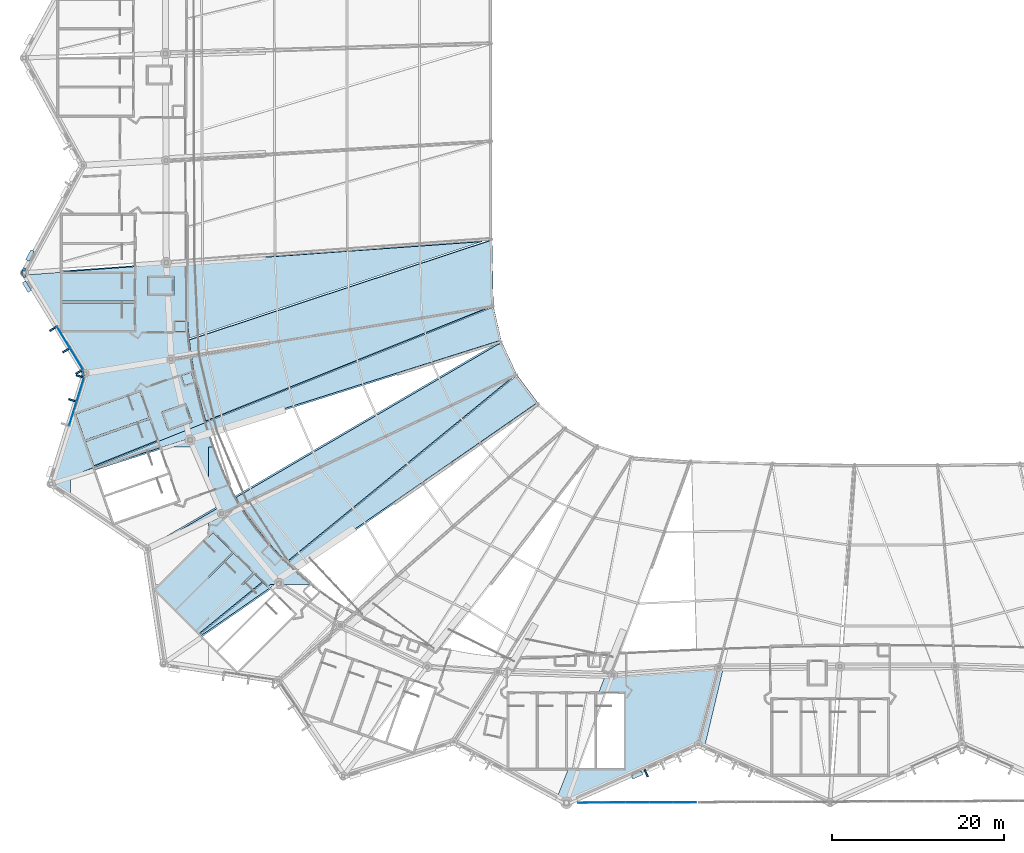
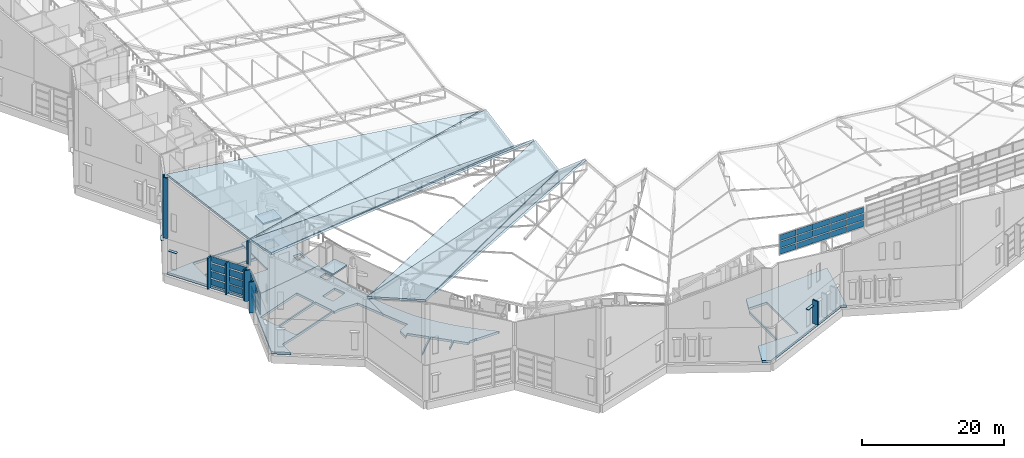
# One storey, part 226 of 344: 41 plates, 13 slabs, 3 elements without a shape of their own.
"""IFC4 building model written with IfcOpenShell, lengths in metres."""

from ifc_helpers import new_model, si_unit, direction, frame, origin, origin_2d, place, context, subcontext, project, spatial, polyline, rectangle, outline, extrude, material, layer, layer_set, type_object, element, aggregate, save


model = new_model("IFC4")

# Units and contexts
model_context = context("Model", 3, precision=1e-05, world=origin(), true_north=direction((0.0, 1.0)))
body_context = subcontext(model_context, "Body", "Model", "MODEL_VIEW")
ifc_project = project(units=[si_unit("LENGTHUNIT", "METRE"), si_unit("AREAUNIT", "SQUARE_METRE"), si_unit("VOLUMEUNIT", "CUBIC_METRE"), si_unit("PLANEANGLEUNIT", "RADIAN"), si_unit("MASSUNIT", "GRAM", prefix="KILO")], contexts=[model_context])

# Site, building, storey
site_placement = place(None, origin())
site = spatial("IfcSite", under=ifc_project, at=site_placement, CompositionType="ELEMENT")
building_placement = place(site_placement, origin())
building = spatial("IfcBuilding", under=site, at=building_placement, Name="Meseta Stadium", CompositionType="ELEMENT")
storey_placement = place(building_placement, frame((0.0, 0.0, 24.0)))
storey = spatial("IfcBuildingStorey", under=building, at=storey_placement, Name="L04", CompositionType="ELEMENT", Elevation=24.0)

# Plates
ifc_material_1 = material(Name="White precast concrete C40/50", Category="concrete")
ifc_layer_1 = layer(ifc_material_1, 0.199951171875)
ifc_layer_set_1 = layer_set([ifc_layer_1], Name="Brise-soleil fin 200x900")
plate_type_1 = type_object("IfcPlateType", Name="Brise-soleil fin 200x900", PredefinedType="USERDEFINED", material=ifc_layer_set_1)
for number, where, z_axis, x_axis, name in (
    (1, (-98.0537109375, -50.266845703125, 0.0), (0.0, 0.0, 1.0), (0.519362172223, -0.854554231201, 0.0), "Brise-soleil fin F36.1"),
    (2, (-96.53466796875, -52.766357421875, 0.0), (0.0, 0.0, 1.0), (0.519362172223, -0.854554231201, 0.0), "Brise-soleil fin F36.2"),
    (3, (-95.015380859375, -55.265869140625, 0.0), (0.0, 0.0, 1.0), (0.519362172223, -0.854554231201, 0.0), "Brise-soleil fin F36.3"),
    (4, (-94.95166015625, -55.786865234375, 0.0), (0.0, 0.0, 1.0), (-0.296868988045, -0.954918218455, 0.0), "Brise-soleil fin F37.1"),
    (5, (-95.81982421875, -58.579833984375, 0.0), (0.0, 0.0, 1.0), (-0.296868988045, -0.954918218455, 0.0), "Brise-soleil fin F37.2"),
):
    element("IfcPlate", number, at=place(storey_placement, frame(where, z_axis=z_axis, x_axis=x_axis)), inside=storey, type_object=plate_type_1, Name=name, ObjectType="FIN", PredefinedType="USERDEFINED", context=body_context, shape_type="SweptSolid", body=[
        extrude(rectangle(XDim=0.199951171875, YDim=0.89990234375, at=origin_2d()), origin(), (0.0, 0.0, 1.0), 5.35009765625),
    ])

# Curtain wall, plates
ifc_material_2 = material(Name="Steel S355", Category="steel")
ifc_layer_2 = layer(ifc_material_2, 0.300048828125)
ifc_layer_set_2 = layer_set([ifc_layer_2], Name="Valley atrium curtain wall")
curtain_wall_type_1 = type_object("IfcCurtainWallType", Name="Valley atrium curtain wall", PredefinedType="NOTDEFINED", material=ifc_layer_set_2)
curtain_wall_1_placement = place(storey_placement, origin())
curtain_wall_1 = element("IfcCurtainWall", 6, at=curtain_wall_1_placement, inside=storey, type_object=curtain_wall_type_1, Name="Valley atrium glazing F36", PredefinedType="NOTDEFINED")
ifc_material_3 = material(Name="Glass", Category="glass")
ifc_layer_3 = layer(ifc_material_3, 0.035888671875)
ifc_layer_set_3 = layer_set([ifc_layer_3], Name="CW glass panel 36")
plate_type_2 = type_object("IfcPlateType", Name="CW glass panel 36", PredefinedType="CURTAIN_PANEL", material=ifc_layer_set_3)
plate_1_placement = place(storey_placement, frame((-96.845458984375, -51.243896484375, 0.199951171875), z_axis=(0.0, 0.0, 1.0), x_axis=(0.519362172313, -0.854554231147, 0.0)))
plate_1 = element("IfcPlate", 7, at=plate_1_placement, type_object=plate_type_2, Name="CWA panel 1.1", PredefinedType="CURTAIN_PANEL", context=body_context, shape_type="SweptSolid", body=[
    extrude(rectangle(XDim=2.77490234375, YDim=0.035888671875, at=origin_2d()), origin(), (0.0, 0.0, 1.0), 1.03759765625),
])
plate_2_placement = place(storey_placement, frame((-96.845458984375, -51.243896484375, 1.4375), z_axis=(0.0, 0.0, 1.0), x_axis=(0.519362172313, -0.854554231147, 0.0)))
plate_2 = element("IfcPlate", 8, at=plate_2_placement, type_object=plate_type_2, Name="CWA panel 1.2", PredefinedType="CURTAIN_PANEL", context=body_context, shape_type="SweptSolid", body=[
    extrude(rectangle(XDim=2.77490234375, YDim=0.035888671875, at=origin_2d()), origin(), (0.0, 0.0, 1.0), 1.137451171875),
])
plate_3_placement = place(storey_placement, frame((-96.845458984375, -51.243896484375, 2.77490234375), z_axis=(0.0, 0.0, 1.0), x_axis=(0.519362172313, -0.854554231147, 0.0)))
plate_3 = element("IfcPlate", 9, at=plate_3_placement, type_object=plate_type_2, Name="CWA panel 1.3", PredefinedType="CURTAIN_PANEL", context=body_context, shape_type="SweptSolid", body=[
    extrude(rectangle(XDim=2.77490234375, YDim=0.035888671875, at=origin_2d()), origin(), (0.0, 0.0, 1.0), 1.137451171875),
])
plate_4_placement = place(storey_placement, frame((-96.845458984375, -51.243896484375, 4.112548828125), z_axis=(0.0, 0.0, 1.0), x_axis=(0.519362172313, -0.854554231147, 0.0)))
plate_4 = element("IfcPlate", 10, at=plate_4_placement, type_object=plate_type_2, Name="CWA panel 1.4", PredefinedType="CURTAIN_PANEL", context=body_context, shape_type="SweptSolid", body=[
    extrude(rectangle(XDim=2.77490234375, YDim=0.035888671875, at=origin_2d()), origin(), (0.0, 0.0, 1.0), 1.03759765625),
])
plate_5_placement = place(storey_placement, frame((-95.326416015625, -53.743408203125, 0.199951171875), z_axis=(0.0, 0.0, 1.0), x_axis=(0.519362172313, -0.854554231147, 0.0)))
plate_5 = element("IfcPlate", 11, at=plate_5_placement, type_object=plate_type_2, Name="CWA panel 2.1", PredefinedType="CURTAIN_PANEL", context=body_context, shape_type="SweptSolid", body=[
    extrude(rectangle(XDim=2.77490234375, YDim=0.035888671875, at=origin_2d()), origin(), (0.0, 0.0, 1.0), 1.03759765625),
])
plate_6_placement = place(storey_placement, frame((-95.326416015625, -53.743408203125, 1.4375), z_axis=(0.0, 0.0, 1.0), x_axis=(0.519362172313, -0.854554231147, 0.0)))
plate_6 = element("IfcPlate", 12, at=plate_6_placement, type_object=plate_type_2, Name="CWA panel 2.2", PredefinedType="CURTAIN_PANEL", context=body_context, shape_type="SweptSolid", body=[
    extrude(rectangle(XDim=2.77490234375, YDim=0.035888671875, at=origin_2d()), origin(), (0.0, 0.0, 1.0), 1.137451171875),
])
plate_7_placement = place(storey_placement, frame((-95.326416015625, -53.743408203125, 2.77490234375), z_axis=(0.0, 0.0, 1.0), x_axis=(0.519362172313, -0.854554231147, 0.0)))
plate_7 = element("IfcPlate", 13, at=plate_7_placement, type_object=plate_type_2, Name="CWA panel 2.3", PredefinedType="CURTAIN_PANEL", context=body_context, shape_type="SweptSolid", body=[
    extrude(rectangle(XDim=2.77490234375, YDim=0.035888671875, at=origin_2d()), origin(), (0.0, 0.0, 1.0), 1.137451171875),
])
plate_8_placement = place(storey_placement, frame((-95.326416015625, -53.743408203125, 4.112548828125), z_axis=(0.0, 0.0, 1.0), x_axis=(0.519362172313, -0.854554231147, 0.0)))
plate_8 = element("IfcPlate", 14, at=plate_8_placement, type_object=plate_type_2, Name="CWA panel 2.4", PredefinedType="CURTAIN_PANEL", context=body_context, shape_type="SweptSolid", body=[
    extrude(rectangle(XDim=2.77490234375, YDim=0.035888671875, at=origin_2d()), origin(), (0.0, 0.0, 1.0), 1.03759765625),
])
aggregate(curtain_wall_1, [plate_1, plate_2, plate_3, plate_4, plate_5, plate_6, plate_7, plate_8])

curtain_wall_2_placement = place(storey_placement, origin())
curtain_wall_2 = element("IfcCurtainWall", 15, at=curtain_wall_2_placement, inside=storey, type_object=curtain_wall_type_1, Name="Valley atrium glazing F37", PredefinedType="NOTDEFINED")
plate_9_placement = place(storey_placement, frame((-94.88427734375, -57.33935546875, 0.199951171875), z_axis=(0.0, 0.0, 1.0), x_axis=(-0.296868987995, -0.95491821847, 0.0)))
plate_9 = element("IfcPlate", 16, at=plate_9_placement, type_object=plate_type_2, Name="CWA panel 1.1", PredefinedType="CURTAIN_PANEL", context=body_context, shape_type="SweptSolid", body=[
    extrude(rectangle(XDim=2.77490234375, YDim=0.035888671875, at=origin_2d()), origin(), (0.0, 0.0, 1.0), 1.03759765625),
])
plate_10_placement = place(storey_placement, frame((-94.88427734375, -57.33935546875, 1.4375), z_axis=(0.0, 0.0, 1.0), x_axis=(-0.296868987995, -0.95491821847, 0.0)))
plate_10 = element("IfcPlate", 17, at=plate_10_placement, type_object=plate_type_2, Name="CWA panel 1.2", PredefinedType="CURTAIN_PANEL", context=body_context, shape_type="SweptSolid", body=[
    extrude(rectangle(XDim=2.77490234375, YDim=0.035888671875, at=origin_2d()), origin(), (0.0, 0.0, 1.0), 1.137451171875),
])
plate_11_placement = place(storey_placement, frame((-94.88427734375, -57.33935546875, 2.77490234375), z_axis=(0.0, 0.0, 1.0), x_axis=(-0.296868987995, -0.95491821847, 0.0)))
plate_11 = element("IfcPlate", 18, at=plate_11_placement, type_object=plate_type_2, Name="CWA panel 1.3", PredefinedType="CURTAIN_PANEL", context=body_context, shape_type="SweptSolid", body=[
    extrude(rectangle(XDim=2.77490234375, YDim=0.035888671875, at=origin_2d()), origin(), (0.0, 0.0, 1.0), 1.137451171875),
])
plate_12_placement = place(storey_placement, frame((-94.88427734375, -57.33935546875, 4.112548828125), z_axis=(0.0, 0.0, 1.0), x_axis=(-0.296868987995, -0.95491821847, 0.0)))
plate_12 = element("IfcPlate", 19, at=plate_12_placement, type_object=plate_type_2, Name="CWA panel 1.4", PredefinedType="CURTAIN_PANEL", context=body_context, shape_type="SweptSolid", body=[
    extrude(rectangle(XDim=2.77490234375, YDim=0.035888671875, at=origin_2d()), origin(), (0.0, 0.0, 1.0), 1.03759765625),
])
plate_13_placement = place(storey_placement, frame((-95.752685546875, -60.13232421875, 1.4375), z_axis=(0.0, 0.0, 1.0), x_axis=(-0.296868987995, -0.95491821847, 0.0)))
plate_13 = element("IfcPlate", 20, at=plate_13_placement, type_object=plate_type_2, Name="CWA panel 2.2", PredefinedType="CURTAIN_PANEL", context=body_context, shape_type="SweptSolid", body=[
    extrude(rectangle(XDim=2.77490234375, YDim=0.035888671875, at=origin_2d()), origin(), (0.0, 0.0, 1.0), 1.137451171875),
])
plate_14_placement = place(storey_placement, frame((-95.752685546875, -60.13232421875, 2.77490234375), z_axis=(0.0, 0.0, 1.0), x_axis=(-0.296868987995, -0.95491821847, 0.0)))
plate_14 = element("IfcPlate", 21, at=plate_14_placement, type_object=plate_type_2, Name="CWA panel 2.3", PredefinedType="CURTAIN_PANEL", context=body_context, shape_type="SweptSolid", body=[
    extrude(rectangle(XDim=2.77490234375, YDim=0.035888671875, at=origin_2d()), origin(), (0.0, 0.0, 1.0), 1.137451171875),
])
plate_15_placement = place(storey_placement, frame((-95.752685546875, -60.13232421875, 4.112548828125), z_axis=(0.0, 0.0, 1.0), x_axis=(-0.296868987995, -0.95491821847, 0.0)))
plate_15 = element("IfcPlate", 22, at=plate_15_placement, type_object=plate_type_2, Name="CWA panel 2.4", PredefinedType="CURTAIN_PANEL", context=body_context, shape_type="SweptSolid", body=[
    extrude(rectangle(XDim=2.77490234375, YDim=0.035888671875, at=origin_2d()), origin(), (0.0, 0.0, 1.0), 1.03759765625),
])
aggregate(curtain_wall_2, [plate_9, plate_10, plate_11, plate_12, plate_13, plate_14, plate_15])

ifc_material_4 = material(Name="Aluminium", Category="aluminium")
ifc_layer_4 = layer(ifc_material_4, 0.199951171875)
ifc_layer_set_4 = layer_set([ifc_layer_4], Name="Gable glazing curtain wall")
curtain_wall_type_2 = type_object("IfcCurtainWallType", Name="Gable glazing curtain wall", PredefinedType="NOTDEFINED", material=ifc_layer_set_4)
curtain_wall_3_placement = place(storey_placement, origin())
curtain_wall_3 = element("IfcCurtainWall", 23, at=curtain_wall_3_placement, inside=storey, type_object=curtain_wall_type_2, Name="Gable glazing south lower bay 01", PredefinedType="NOTDEFINED")
plate_16_placement = place(storey_placement, frame((-35.603271484375, -105.389404296875, 17.75), z_axis=(0.0, 0.0, 1.0), x_axis=(0.999992598213, 0.003847534181, 0.0)))
plate_16 = element("IfcPlate", 24, at=plate_16_placement, type_object=plate_type_2, Name="CWG panel 1.1", PredefinedType="CURTAIN_PANEL", context=body_context, shape_type="SweptSolid", body=[
    extrude(rectangle(XDim=2.67626953125, YDim=0.035888671875, at=origin_2d()), origin(), (0.0, 0.0, 1.0), 0.986572265625),
])
plate_17_placement = place(storey_placement, frame((-35.603271484375, -105.389404296875, 18.88671875), z_axis=(0.0, 0.0, 1.0), x_axis=(0.999992598213, 0.003847534181, 0.0)))
plate_17 = element("IfcPlate", 25, at=plate_17_placement, type_object=plate_type_2, Name="CWG panel 1.2", PredefinedType="CURTAIN_PANEL", context=body_context, shape_type="SweptSolid", body=[
    extrude(rectangle(XDim=2.67626953125, YDim=0.035888671875, at=origin_2d()), origin(), (0.0, 0.0, 1.0), 1.061767578125),
])
plate_18_placement = place(storey_placement, frame((-35.603271484375, -105.389404296875, 20.09814453125), z_axis=(0.0, 0.0, 1.0), x_axis=(0.999992598213, 0.003847534181, 0.0)))
plate_18 = element("IfcPlate", 26, at=plate_18_placement, type_object=plate_type_2, Name="CWG panel 1.3", PredefinedType="CURTAIN_PANEL", context=body_context, shape_type="SweptSolid", body=[
    extrude(rectangle(XDim=2.67626953125, YDim=0.035888671875, at=origin_2d()), origin(), (0.0, 0.0, 1.0), 0.986572265625),
])
plate_19_placement = place(storey_placement, frame((-32.851806640625, -105.37890625, 17.75), z_axis=(0.0, 0.0, 1.0), x_axis=(0.999992598213, 0.003847534181, 0.0)))
plate_19 = element("IfcPlate", 27, at=plate_19_placement, type_object=plate_type_2, Name="CWG panel 2.1", PredefinedType="CURTAIN_PANEL", context=body_context, shape_type="SweptSolid", body=[
    extrude(rectangle(XDim=2.706298828125, YDim=0.035888671875, at=origin_2d()), origin(), (0.0, 0.0, 1.0), 0.986572265625),
])
plate_20_placement = place(storey_placement, frame((-32.851806640625, -105.37890625, 18.88671875), z_axis=(0.0, 0.0, 1.0), x_axis=(0.999992598213, 0.003847534181, 0.0)))
plate_20 = element("IfcPlate", 28, at=plate_20_placement, type_object=plate_type_2, Name="CWG panel 2.2", PredefinedType="CURTAIN_PANEL", context=body_context, shape_type="SweptSolid", body=[
    extrude(rectangle(XDim=2.706298828125, YDim=0.035888671875, at=origin_2d()), origin(), (0.0, 0.0, 1.0), 1.061767578125),
])
plate_21_placement = place(storey_placement, frame((-32.851806640625, -105.37890625, 20.09814453125), z_axis=(0.0, 0.0, 1.0), x_axis=(0.999992598213, 0.003847534181, 0.0)))
plate_21 = element("IfcPlate", 29, at=plate_21_placement, type_object=plate_type_2, Name="CWG panel 2.3", PredefinedType="CURTAIN_PANEL", context=body_context, shape_type="SweptSolid", body=[
    extrude(rectangle(XDim=2.706298828125, YDim=0.035888671875, at=origin_2d()), origin(), (0.0, 0.0, 1.0), 0.986572265625),
])
plate_22_placement = place(storey_placement, frame((-30.08544921875, -105.3681640625, 17.75), z_axis=(0.0, 0.0, 1.0), x_axis=(0.999992598213, 0.003847534181, 0.0)))
plate_22 = element("IfcPlate", 30, at=plate_22_placement, type_object=plate_type_2, Name="CWG panel 3.1", PredefinedType="CURTAIN_PANEL", context=body_context, shape_type="SweptSolid", body=[
    extrude(rectangle(XDim=2.706298828125, YDim=0.035888671875, at=origin_2d()), origin(), (0.0, 0.0, 1.0), 0.986572265625),
])
plate_23_placement = place(storey_placement, frame((-30.08544921875, -105.3681640625, 18.88671875), z_axis=(0.0, 0.0, 1.0), x_axis=(0.999992598213, 0.003847534181, 0.0)))
plate_23 = element("IfcPlate", 31, at=plate_23_placement, type_object=plate_type_2, Name="CWG panel 3.2", PredefinedType="CURTAIN_PANEL", context=body_context, shape_type="SweptSolid", body=[
    extrude(rectangle(XDim=2.706298828125, YDim=0.035888671875, at=origin_2d()), origin(), (0.0, 0.0, 1.0), 1.061767578125),
])
plate_24_placement = place(storey_placement, frame((-30.08544921875, -105.3681640625, 20.09814453125), z_axis=(0.0, 0.0, 1.0), x_axis=(0.999992598213, 0.003847534181, 0.0)))
plate_24 = element("IfcPlate", 32, at=plate_24_placement, type_object=plate_type_2, Name="CWG panel 3.3", PredefinedType="CURTAIN_PANEL", context=body_context, shape_type="SweptSolid", body=[
    extrude(rectangle(XDim=2.706298828125, YDim=0.035888671875, at=origin_2d()), origin(), (0.0, 0.0, 1.0), 0.986572265625),
])
plate_25_placement = place(storey_placement, frame((-27.319091796875, -105.357666015625, 17.75), z_axis=(0.0, 0.0, 1.0), x_axis=(0.999992598213, 0.003847534181, 0.0)))
plate_25 = element("IfcPlate", 33, at=plate_25_placement, type_object=plate_type_2, Name="CWG panel 4.1", PredefinedType="CURTAIN_PANEL", context=body_context, shape_type="SweptSolid", body=[
    extrude(rectangle(XDim=2.706298828125, YDim=0.035888671875, at=origin_2d()), origin(), (0.0, 0.0, 1.0), 0.986572265625),
])
plate_26_placement = place(storey_placement, frame((-27.319091796875, -105.357666015625, 18.88671875), z_axis=(0.0, 0.0, 1.0), x_axis=(0.999992598213, 0.003847534181, 0.0)))
plate_26 = element("IfcPlate", 34, at=plate_26_placement, type_object=plate_type_2, Name="CWG panel 4.2", PredefinedType="CURTAIN_PANEL", context=body_context, shape_type="SweptSolid", body=[
    extrude(rectangle(XDim=2.706298828125, YDim=0.035888671875, at=origin_2d()), origin(), (0.0, 0.0, 1.0), 1.061767578125),
])
plate_27_placement = place(storey_placement, frame((-27.319091796875, -105.357666015625, 20.09814453125), z_axis=(0.0, 0.0, 1.0), x_axis=(0.999992598213, 0.003847534181, 0.0)))
plate_27 = element("IfcPlate", 35, at=plate_27_placement, type_object=plate_type_2, Name="CWG panel 4.3", PredefinedType="CURTAIN_PANEL", context=body_context, shape_type="SweptSolid", body=[
    extrude(rectangle(XDim=2.706298828125, YDim=0.035888671875, at=origin_2d()), origin(), (0.0, 0.0, 1.0), 0.986572265625),
])
plate_28_placement = place(storey_placement, frame((-24.567626953125, -105.346923828125, 17.75), z_axis=(0.0, 0.0, 1.0), x_axis=(0.999992598213, 0.003847534181, 0.0)))
plate_28 = element("IfcPlate", 36, at=plate_28_placement, type_object=plate_type_2, Name="CWG panel 5.1", PredefinedType="CURTAIN_PANEL", context=body_context, shape_type="SweptSolid", body=[
    extrude(rectangle(XDim=2.67626953125, YDim=0.035888671875, at=origin_2d()), origin(), (0.0, 0.0, 1.0), 0.986572265625),
])
plate_29_placement = place(storey_placement, frame((-24.567626953125, -105.346923828125, 18.88671875), z_axis=(0.0, 0.0, 1.0), x_axis=(0.999992598213, 0.003847534181, 0.0)))
plate_29 = element("IfcPlate", 37, at=plate_29_placement, type_object=plate_type_2, Name="CWG panel 5.2", PredefinedType="CURTAIN_PANEL", context=body_context, shape_type="SweptSolid", body=[
    extrude(rectangle(XDim=2.67626953125, YDim=0.035888671875, at=origin_2d()), origin(), (0.0, 0.0, 1.0), 1.061767578125),
])
plate_30_placement = place(storey_placement, frame((-24.567626953125, -105.346923828125, 20.09814453125), z_axis=(0.0, 0.0, 1.0), x_axis=(0.999992598213, 0.003847534181, 0.0)))
plate_30 = element("IfcPlate", 38, at=plate_30_placement, type_object=plate_type_2, Name="CWG panel 5.3", PredefinedType="CURTAIN_PANEL", context=body_context, shape_type="SweptSolid", body=[
    extrude(rectangle(XDim=2.67626953125, YDim=0.035888671875, at=origin_2d()), origin(), (0.0, 0.0, 1.0), 0.986572265625),
])
aggregate(curtain_wall_3, [plate_16, plate_17, plate_18, plate_19, plate_20, plate_21, plate_22, plate_23, plate_24, plate_25, plate_26, plate_27, plate_28, plate_29, plate_30])

# Slabs
ifc_material_5 = material(Name="Concrete C40/50", Category="concrete")
ifc_layer_5 = layer(ifc_material_5, 0.25)
ifc_layer_set_5 = layer_set([ifc_layer_5], Name="Core roof slab 250")
slab_type_1 = type_object("IfcSlabType", Name="Core roof slab 250", PredefinedType="ROOF", material=ifc_layer_set_5)
slab_1_placement = place(storey_placement, frame((0.0, 0.0, 4.60009765625)))
element("IfcSlab", 39, at=slab_1_placement, inside=storey, type_object=slab_type_1, Name="Core 19 lift overrun roof", PredefinedType="ROOF", context=body_context, shape_type="SweptSolid", body=[
    extrude(outline(polyline([(-87.0, -44.10009765625), (-84.0, -44.10009765625), (-84.0, -46.39990234375), (-87.0, -46.39990234375), (-87.0, -44.10009765625)])), origin(), (0.0, 0.0, 1.0), 0.25),
])
slab_2_placement = place(storey_placement, frame((0.0, 0.0, 4.60009765625)))
element("IfcSlab", 40, at=slab_2_placement, inside=storey, type_object=slab_type_1, Name="Core 20 lift overrun roof", PredefinedType="ROOF", context=body_context, shape_type="SweptSolid", body=[
    extrude(outline(polyline([(-85.432861328125, -59.93115234375), (-82.60107421875, -58.940185546875), (-81.841552734375, -61.111083984375), (-84.673095703125, -62.10205078125), (-85.432861328125, -59.93115234375)])), origin(), (0.0, 0.0, 1.0), 0.25),
])
ifc_material_6 = material(Name="Concrete C40/50", Category="concrete")
ifc_layer_6 = layer(ifc_material_6, 0.39990234375)
ifc_layer_set_6 = layer_set([ifc_layer_6], Name="Floor slab 400")
slab_type_2 = type_object("IfcSlabType", Name="Floor slab 400", PredefinedType="FLOOR", material=ifc_layer_set_6)
slab_3_placement = place(storey_placement, frame((0.0, 0.0, -0.39990234375)))
element("IfcSlab", 41, at=slab_3_placement, inside=storey, type_object=slab_type_2, Name="Floor slab L04 sector 35 panel 02", PredefinedType="FLOOR", context=body_context, shape_type="SweptSolid", body=[
    extrude(outline(polyline([(-82.44091796875, -48.63525390625), (-82.47802734375, -42.55859375), (-88.60009765625, -43.028564453125), (-88.60009765625, -43.64990234375), (-96.697021484375, -43.64990234375), (-101.24853515625, -43.999267578125), (-94.29443359375, -55.44140625), (-84.3251953125, -53.801513671875), (-84.33154296875, -53.67333984375), (-81.976318359375, -53.294189453125), (-82.176025390625, -51.74609375), (-82.330810546875, -50.19287109375), (-82.44091796875, -48.63525390625)]), holes=[polyline([(-86.800048828125, -46.199951171875), (-86.800048828125, -44.300048828125), (-84.199951171875, -44.300048828125), (-84.199951171875, -46.199951171875), (-86.800048828125, -46.199951171875)]), polyline([(-97.0, -47.25), (-88.60009765625, -47.25), (-88.60009765625, -50.449951171875), (-97.0, -50.449951171875), (-97.0, -47.25)]), polyline([(-97.0, -47.050048828125), (-97.0, -43.85009765625), (-88.60009765625, -43.85009765625), (-88.60009765625, -47.050048828125), (-97.0, -47.050048828125)]), polyline([(-83.85009765625, -49.39990234375), (-82.64990234375, -49.39990234375), (-82.64990234375, -50.60009765625), (-83.85009765625, -50.60009765625), (-83.85009765625, -49.39990234375)])]), origin(), (0.0, 0.0, 1.0), 0.39990234375),
])
slab_4_placement = place(storey_placement, frame((0.0, 0.0, -0.39990234375)))
element("IfcSlab", 42, at=slab_4_placement, inside=storey, type_object=slab_type_2, Name="Floor slab L04 sector 35 panel 03", PredefinedType="FLOOR", context=body_context, shape_type="SweptSolid", body=[
    extrude(outline(polyline([(-84.956787109375, -64.0), (-81.772705078125, -64.0), (-80.0, -68.13232421875), (-80.0, -64.0), (-79.30078125, -64.0), (-79.347412109375, -63.8759765625), (-79.852783203125, -62.399658203125), (-80.31591796875, -60.90966796875), (-80.735595703125, -59.406982421875), (-81.11181640625, -57.89306640625), (-81.444091796875, -56.368896484375), (-81.732421875, -54.83544921875), (-81.976318359375, -53.294189453125), (-84.33154296875, -53.67333984375), (-84.3251953125, -53.801513671875), (-94.29443359375, -55.44140625), (-98.291015625, -68.297607421875), (-96.0, -69.85205078125), (-96.0, -67.46240234375), (-92.1708984375, -66.26171875), (-85.70458984375, -63.9990234375), (-85.63037109375, -64.211181640625), (-84.956787109375, -64.0)]), holes=[polyline([(-84.55029296875, -61.84716796875), (-85.177978515625, -60.0537109375), (-82.723876953125, -59.195068359375), (-82.09619140625, -60.988525390625), (-84.55029296875, -61.84716796875)]), polyline([(-85.7705078125, -63.810302734375), (-93.227294921875, -66.419677734375), (-94.2841796875, -63.399169921875), (-86.827392578125, -60.789794921875), (-85.7705078125, -63.810302734375)]), polyline([(-86.8935546875, -60.601318359375), (-94.35009765625, -63.21044921875), (-95.406982421875, -60.18994140625), (-87.950439453125, -57.580810546875), (-86.8935546875, -60.601318359375)]), polyline([(-82.006103515625, -55.341796875), (-81.60986328125, -56.474609375), (-82.74267578125, -56.870849609375), (-83.138916015625, -55.73828125), (-82.006103515625, -55.341796875)])]), origin(), (0.0, 0.0, 1.0), 0.39990234375),
])
slab_5_placement = place(storey_placement, frame((0.0, 0.0, -0.39990234375)))
element("IfcSlab", 43, at=slab_5_placement, inside=storey, type_object=slab_type_2, Name="Floor slab L04 sector 35 panel 07", PredefinedType="FLOOR", context=body_context, shape_type="SweptSolid", body=[
    extrude(outline(polyline([(-68.853515625, -79.217529296875), (-70.034423828125, -78.172607421875), (-71.172119140625, -77.0810546875), (-72.264892578125, -75.945068359375), (-73.31103515625, -74.76611328125), (-74.30859375, -73.546142578125), (-75.256103515625, -72.287353515625), (-76.15234375, -70.99169921875), (-76.904296875, -69.6201171875), (-77.5771484375, -68.21044921875), (-78.208984375, -66.782470703125), (-78.799072265625, -65.337158203125), (-79.30078125, -64.0), (-80.0, -64.0), (-80.0, -68.13232421875), (-78.4453125, -71.756103515625), (-78.246337890625, -71.998779296875), (-80.0, -72.84228515625), (-80.0, -74.524658203125), (-79.4462890625, -73.970947265625), (-77.183349609375, -76.233642578125), (-80.0, -79.05029296875), (-80.0, -79.3330078125), (-77.0419921875, -76.375), (-74.779296875, -78.6376953125), (-76.141357421875, -80.0), (-75.858642578125, -80.0), (-74.6376953125, -78.779296875), (-73.144775390625, -80.272216796875), (-72.741455078125, -80.0), (-71.935791015625, -80.0), (-71.775390625, -79.888916015625), (-71.61328125, -80.0), (-68.009765625, -80.0), (-67.963134765625, -79.953369140625), (-67.91650390625, -80.0), (-67.894287109375, -80.0), (-68.853515625, -79.217529296875)])), origin(), (0.0, 0.0, 1.0), 0.39990234375),
])
slab_6_placement = place(storey_placement, frame((0.0, 0.0, -0.39990234375)))
element("IfcSlab", 44, at=slab_6_placement, inside=storey, type_object=slab_type_2, Name="Floor slab L04 sector 42 panel 04", PredefinedType="FLOOR", context=body_context, shape_type="SweptSolid", body=[
    extrude(outline(polyline([(-35.033203125, -93.683837890625), (-35.033203125, -101.39990234375), (-38.09521484375, -101.39990234375), (-39.443603515625, -104.798095703125), (-38.333251953125, -105.39990234375), (-23.0, -98.60009765625), (-22.267822265625, -98.9248046875), (-20.059814453125, -89.651611328125), (-20.649658203125, -89.65625), (-32.944091796875, -90.551025390625), (-33.779541015625, -90.524658203125), (-34.642822265625, -92.699951171875), (-31.63330078125, -92.699951171875), (-31.63330078125, -101.39990234375), (-34.833251953125, -101.39990234375), (-34.833251953125, -93.179931640625), (-35.033203125, -93.683837890625)])), origin(), (0.0, 0.0, 1.0), 0.39990234375),
])

# Plates
ifc_material_7 = material(Name="White precast concrete C40/50", Category="concrete")
ifc_layer_7 = layer(ifc_material_7, 0.320068359375)
ifc_layer_set_7 = layer_set([ifc_layer_7], Name="Fold closer plate 320")
plate_type_3 = type_object("IfcPlateType", Name="Fold closer plate 320", PredefinedType="USERDEFINED", material=ifc_layer_set_7)
plate_31_placement = place(storey_placement, frame((0.0, 0.0, 6.0)))
element("IfcPlate", 45, at=plate_31_placement, inside=storey, type_object=plate_type_3, Name="Pleated fascia fold closer L04 F35", ObjectType="CLADDING", PredefinedType="USERDEFINED", context=body_context, shape_type="SweptSolid", body=[
    extrude(outline(polyline([(-101.477294921875, -43.138916015625), (-101.815185546875, -43.760009765625), (-101.4482421875, -44.36376953125), (-101.1748046875, -44.197509765625), (-101.319091796875, -43.9599609375), (-101.60009765625, -43.9599609375), (-101.6083984375, -43.95556640625), (-101.60986328125, -43.548095703125), (-101.606201171875, -43.542236328125), (-101.60009765625, -43.5400390625), (-101.331298828125, -43.5400390625), (-101.1962890625, -43.291748046875), (-101.477294921875, -43.138916015625)])), origin(), (0.0, 0.0, 1.0), 10.436767578125),
])
plate_32_placement = place(storey_placement, frame((0.0, 0.0, 6.0)))
element("IfcPlate", 46, at=plate_32_placement, inside=storey, type_object=plate_type_3, Name="Pleated fascia fold closer L04 F36", ObjectType="CLADDING", PredefinedType="USERDEFINED", context=body_context, shape_type="SweptSolid", body=[
    extrude(outline(polyline([(-94.686279296875, -55.48974609375), (-94.771728515625, -55.76416015625), (-94.46630859375, -55.859130859375), (-94.385986328125, -55.6015625), (-94.4453125, -55.601318359375), (-94.4541015625, -55.594482421875), (-94.454345703125, -55.29052734375), (-94.44921875, -55.28271484375), (-94.4384765625, -55.281494140625), (-94.56201171875, -55.078125), (-94.83544921875, -55.244384765625), (-94.686279296875, -55.48974609375)])), origin(), (0.0, 0.0, 1.0), 3.967041015625),
])
ifc_material_8 = material(Name="White precast concrete C40/50", Category="concrete")
ifc_layer_8 = layer(ifc_material_8, 0.080078125)
ifc_layer_set_8 = layer_set([ifc_layer_8], Name="Louvre hood 1300x450")
plate_type_4 = type_object("IfcPlateType", Name="Louvre hood 1300x450", PredefinedType="USERDEFINED", material=ifc_layer_set_8)
for number, where, z_axis, x_axis, name in (
    (47, (-100.744384765625, -41.739013671875, 4.25), (0.0, 0.0, 1.0), (-0.477867090202, -0.878432151109, 0.0), "Louvre hood L04 F35"),
    (48, (-101.1044921875, -45.362548828125, 4.25), (0.0, 0.0, 1.0), (0.519362172223, -0.854554231201, 0.0), "Louvre hood L04 F36"),
    (49, (-30.111328125, -102.1748046875, 4.25), (0.0, 0.0, 1.0), (0.914139046248, 0.40540079443, 0.0), "Louvre hood L04 F44"),
):
    element("IfcPlate", number, at=place(storey_placement, frame(where, z_axis=z_axis, x_axis=x_axis)), inside=storey, type_object=plate_type_4, Name=name, ObjectType="LOUVRE", PredefinedType="USERDEFINED", context=body_context, shape_type="SweptSolid", body=[
        extrude(rectangle(XDim=1.300048828125, YDim=0.449951171875, at=origin_2d()), origin(), (0.0, 0.0, 1.0), 0.080078125),
    ])
ifc_material_9 = material(Name="Precast concrete C40/50, terracotta pigment", Category="masonry")
ifc_layer_9 = layer(ifc_material_9, 0.199951171875)
ifc_layer_set_9 = layer_set([ifc_layer_9], Name="Precast concrete C40/50, terracotta pigment")
plate_type_5 = type_object("IfcPlateType", Name="Precast fin 200x900", PredefinedType="USERDEFINED", material=ifc_layer_set_9)
plate_33_placement = place(storey_placement, frame((-29.060302734375, -101.954833984375, 0.9501953125), z_axis=(0.0, 0.0, 1.0), x_axis=(-0.914139367606, -0.405400069798, 0.0)))
element("IfcPlate", 50, at=plate_33_placement, inside=storey, type_object=plate_type_5, Name="Precast fin L04 F44.3", ObjectType="FIN", PredefinedType="USERDEFINED", context=body_context, shape_type="SweptSolid", body=[
    extrude(rectangle(XDim=0.199951171875, YDim=0.89990234375, at=origin_2d()), origin(), (0.0, 0.0, 1.0), 4.050048828125),
])

# Slabs
ifc_material_10 = material(Name="Precast concrete C40/50", Category="concrete")
ifc_layer_10 = layer(ifc_material_10, 0.300048828125)
ifc_layer_set_10 = layer_set([ifc_layer_10], Name="Roof plate 300")
slab_type_3 = type_object("IfcSlabType", Name="Roof plate 300", PredefinedType="ROOF", material=ifc_layer_set_10)
slab_7_placement = place(storey_placement, frame((-46.829345703125, -47.633544921875, 4.92724609375), z_axis=(0.142261387941, -0.211889705106, 0.966883886706), x_axis=(-0.980864191269, -0.161348374307, 0.108959352027)))
element("IfcSlab", 51, at=slab_7_placement, inside=storey, type_object=slab_type_3, Name="Roof panel RP-36 A", PredefinedType="ROOF", context=body_context, shape_type="SweptSolid", body=[
    extrude(outline(polyline([(0.0, 0.0), (47.761862251288925, -6.661338147750939e-16), (-0.9075918535988443, -7.834523039145061), (0.0, 0.0)])), origin(), (0.0, 0.0, -1.0), 0.300048828125),
])
slab_8_placement = place(storey_placement, frame((-101.2802734375, -43.94677734375, 16.885498046875), z_axis=(0.198809190798, -0.399631675548, 0.894857211823), x_axis=(0.979972839976, 0.070516835738, -0.186227304086)))
element("IfcSlab", 52, at=slab_8_placement, inside=storey, type_object=slab_type_3, Name="Roof panel RP-36 B", PredefinedType="ROOF", context=body_context, shape_type="SweptSolid", body=[
    extrude(outline(polyline([(0.0, 0.0), (54.22090041488592, 0.0), (7.230502609678801, -13.048595998268578), (0.0, 0.0)])), origin(), (0.0, 0.0, -1.0), 0.300048828125),
])
slab_9_placement = place(storey_placement, frame((-95.108154296875, -67.10546875, 16.321533203125), z_axis=(-0.065478424735, 0.619904549812, 0.781940486877), x_axis=(0.906745792825, 0.364093564518, -0.21271563993)))
element("IfcSlab", 53, at=slab_9_placement, inside=storey, type_object=slab_type_3, Name="Roof panel RP-37 A", PredefinedType="ROOF", context=body_context, shape_type="SweptSolid", body=[
    extrude(outline(polyline([(0.0, 0.0), (53.263963706444635, 0.0), (51.99537132175069, -4.892385180485574), (0.0, 0.0)])), origin(), (0.0, 0.0, -1.0), 0.300048828125),
])
slab_10_placement = place(storey_placement, frame((-94.29443359375, -55.44140625, 10.199951171875), z_axis=(0.022496677998, 0.461967322826, 0.886611579058), x_axis=(0.980864117211, 0.161349136903, -0.108958889441)))
element("IfcSlab", 54, at=slab_10_placement, inside=storey, type_object=slab_type_3, Name="Roof panel RP-37 B", PredefinedType="ROOF", context=body_context, shape_type="SweptSolid", body=[
    extrude(outline(polyline([(0.0, 0.0), (47.97044708716667, 0.0), (-6.676883077624991, -13.378190154771538), (0.0, 0.0)])), origin(), (0.0, 0.0, -1.0), 0.300048828125),
])
slab_11_placement = place(storey_placement, frame((-86.370849609375, -75.489501953125, 10.1005859375), z_axis=(0.353365384393, -0.54393609095, 0.761095548584), x_axis=(0.898680448617, 0.423343095241, -0.114691215811)))
element("IfcSlab", 55, at=slab_11_placement, inside=storey, type_object=slab_type_3, Name="Roof panel RP-38 A", PredefinedType="ROOF", context=body_context, shape_type="SweptSolid", body=[
    extrude(outline(polyline([(0.0, 0.0), (47.02745836999949, 1.3322676295501878e-15), (46.66318919951108, 5.258274097681798), (46.12727259866133, 5.350782002548771), (0.0, 0.0)])), origin(), (0.0, 0.0, -1.0), 0.300048828125),
])
slab_12_placement = place(storey_placement, frame((-82.575927734375, -87.153564453125, 16.297607421875), z_axis=(-0.227186476759, 0.567366625175, 0.791505791144), x_axis=(0.754041053193, 0.616824929134, -0.225719066315)))
element("IfcSlab", 56, at=slab_12_placement, inside=storey, type_object=slab_type_3, Name="Roof panel RP-39 A", PredefinedType="ROOF", context=body_context, shape_type="SweptSolid", body=[
    extrude(outline(polyline([(0.0, 0.0), (51.08024476834806, 8.881784197001252e-16), (50.244403565472346, -4.870856657410005), (0.0, 0.0)])), origin(), (0.0, 0.0, -1.0), 0.300048828125),
])
slab_13_placement = place(storey_placement, frame((-87.15087890625, -75.856689453125, 10.199951171875), z_axis=(-0.094171350472, 0.441622265423, 0.892245219339), x_axis=(0.898684940349, 0.423336113507, -0.114681790143)))
element("IfcSlab", 57, at=slab_13_placement, inside=storey, type_object=slab_type_3, Name="Roof panel RP-39 B", PredefinedType="ROOF", context=body_context, shape_type="SweptSolid", body=[
    extrude(outline(polyline([(0.0, 0.0), (47.51598961955865, -2.6645352591003757e-15), (-4.603823940628056, -14.237399631825976), (0.0, 0.0)])), origin(), (0.0, 0.0, -1.0), 0.300048828125),
])

save(model, "model.ifc")
